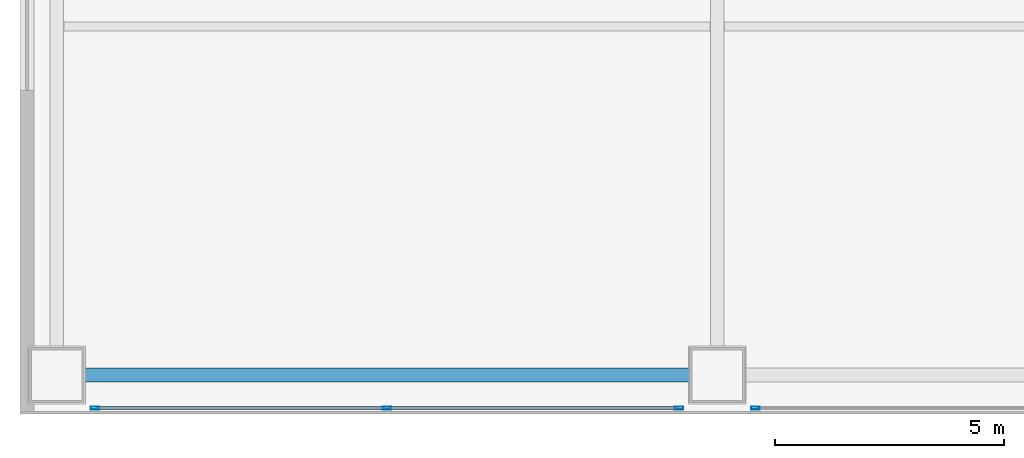
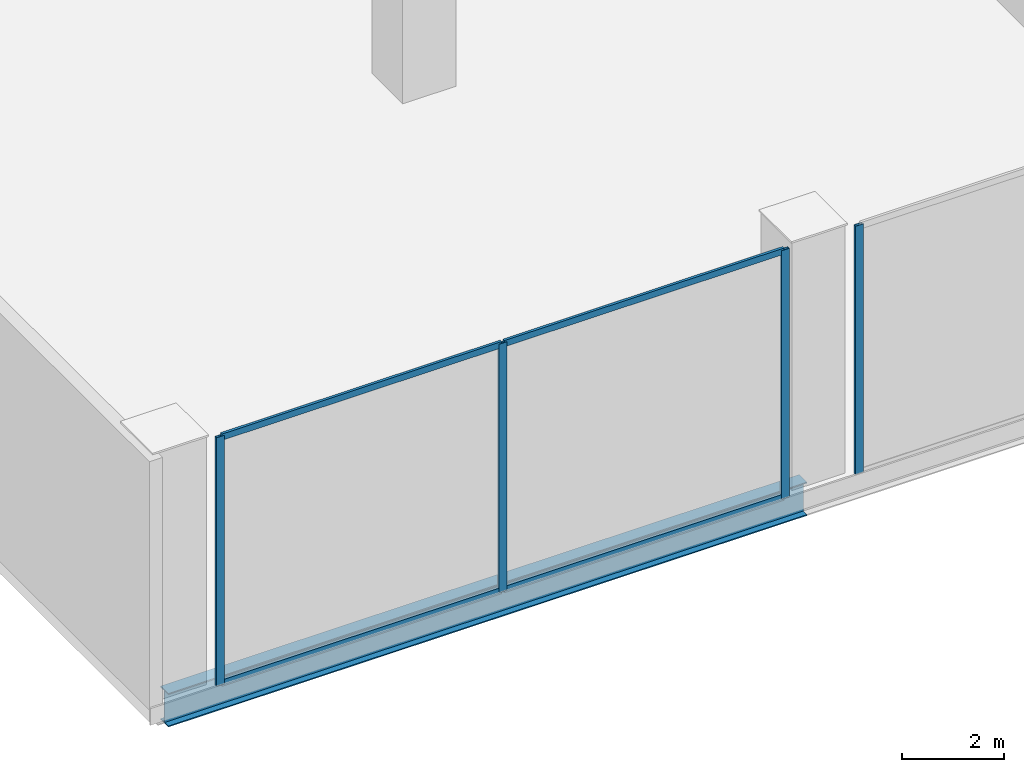
# One storey, part 3 of 41: 8 members, 1 beam, 2 elements without a shape of their own.
"""IFC4 building model written with IfcOpenShell, lengths in metres."""

from ifc_helpers import new_model, si_unit, direction, frame, origin, origin_2d, place, context, subcontext, project, spatial, hollow_rectangle, i_section, extrude, source, transform, mapped, material, layer, layer_set, material_profile, profile_set, type_object, element, aggregate, save


model = new_model("IFC4")

# Units and contexts
model_context = context("Model", 3, precision=1e-05, world=origin(), true_north=direction((0.0, 1.0)))
body_context = subcontext(model_context, "Body", "Model", "MODEL_VIEW")
ifc_project = project(units=[si_unit("LENGTHUNIT", "METRE"), si_unit("AREAUNIT", "SQUARE_METRE"), si_unit("VOLUMEUNIT", "CUBIC_METRE"), si_unit("PLANEANGLEUNIT", "RADIAN"), si_unit("MASSUNIT", "GRAM", prefix="KILO"), si_unit("THERMODYNAMICTEMPERATUREUNIT", "KELVIN"), si_unit("POWERUNIT", "WATT")], contexts=[model_context])

# Site, building, storey
site_placement = place(None, origin())
site = spatial("IfcSite", under=ifc_project, at=site_placement, CompositionType="ELEMENT")
building_placement = place(site_placement, origin())
building = spatial("IfcBuilding", under=site, at=building_placement, Name="Yunzhuo Pagoda Commons", CompositionType="ELEMENT")
storey_placement = place(building_placement, frame((0.0, 0.0, 19.199951171875)))
storey = spatial("IfcBuildingStorey", under=building, at=storey_placement, Name="L05", CompositionType="ELEMENT", Elevation=19.199951171875)

# Beam
ifc_material_1 = material(Name="Structural steel Q355B", Category="steel")
ifc_material_profile_1 = material_profile(ifc_material_1, i_section(OverallWidth=0.300048828125, OverallDepth=0.800048828125, WebThickness=0.013916015625, FlangeThickness=0.02587890625, at=origin_2d()), Name="Structural steel Q355B")
ifc_profile_set_1 = profile_set([ifc_material_profile_1], Name="Structural steel Q355B")
beam_type = type_object("IfcBeamType", Name="B-PD2 Beam HN 800x300x14x26", PredefinedType="BEAM", material=ifc_profile_set_1)
shared_shape_1 = source(origin(), body_context, "Body", "SweptSolid", [
    extrude(i_section(OverallWidth=0.300048828125, OverallDepth=0.800048828125, WebThickness=0.013916015625, FlangeThickness=0.02587890625, at=origin_2d()), origin(), (0.0, 0.0, 1.0), 14.39990234375),
])
beam_placement = place(storey_placement, frame((4.800048828125, 6.800048828125, -0.6796875), z_axis=(1.0, 0.0, 0.0), x_axis=(0.0, 1.0, 0.0)))
element("IfcBeam", 1, at=beam_placement, inside=storey, type_object=beam_type, Name="L05 podium girder EW 1.1", PredefinedType="BEAM", context=body_context, shape_type="MappedRepresentation", body=[
    mapped(shared_shape_1, transform((0.0, 0.0, 0.0), scale=1.0)),
])

# Curtain wall, members
ifc_material_2 = material(Name="Anodized aluminium 6063-T6", Category="aluminium")
ifc_layer = layer(ifc_material_2, 0.179931640625)
ifc_layer_set = layer_set([ifc_layer], Name="Anodized aluminium 6063-T6")
curtain_wall_type = type_object("IfcCurtainWallType", Name="CW-POD Waterfront Podium Curtain Wall", PredefinedType="NOTDEFINED", material=ifc_layer_set)
curtain_wall_1_placement = place(storey_placement, origin())
curtain_wall_1 = element("IfcCurtainWall", 2, at=curtain_wall_1_placement, inside=storey, type_object=curtain_wall_type, Name="L05 curtain wall CW-L05-S1", PredefinedType="NOTDEFINED")
ifc_material_profile_2 = material_profile(ifc_material_2, hollow_rectangle(XDim=0.06005859375, YDim=0.14990234375, WallThickness=0.00390625, at=origin_2d()), Name="Anodized aluminium 6063-T6")
ifc_profile_set_2 = profile_set([ifc_material_profile_2], Name="Anodized aluminium 6063-T6")
member_type_1 = type_object("IfcMemberType", Name="CW-POD-T Transom RHS 150x60x4", PredefinedType="USERDEFINED", material=ifc_profile_set_2)
shared_shape_2 = source(origin(), body_context, "Body", "SweptSolid", [
    extrude(hollow_rectangle(XDim=0.06005859375, YDim=0.14990234375, WallThickness=0.00390625, at=origin_2d()), origin(), (0.0, 0.0, 1.0), 6.302490234375),
])
member_1_placement = place(storey_placement, frame((5.6650390625, 6.080078125, 0.0302734375), z_axis=(1.0, 0.0, 0.0), x_axis=(0.0, 1.0, 0.0)))
member_1 = element("IfcMember", 3, at=member_1_placement, type_object=member_type_1, Name="CW transom 1.1", ObjectType="TRANSOM", PredefinedType="USERDEFINED", context=body_context, shape_type="MappedRepresentation", body=[
    mapped(shared_shape_2, transform((0.0, 0.0, 0.0), scale=1.0)),
])
member_2_placement = place(storey_placement, frame((5.6650390625, 6.080078125, 5.89013671875), z_axis=(1.0, 0.0, 0.0), x_axis=(0.0, 1.0, 0.0)))
member_2 = element("IfcMember", 4, at=member_2_placement, type_object=member_type_1, Name="CW transom 1.2", ObjectType="TRANSOM", PredefinedType="USERDEFINED", context=body_context, shape_type="MappedRepresentation", body=[
    mapped(shared_shape_2, transform((0.0, 0.0, 0.0), scale=1.0)),
])
member_3_placement = place(storey_placement, frame((12.032470703125, 6.080078125, 0.0302734375), z_axis=(1.0, 0.0, 0.0), x_axis=(0.0, 1.0, 0.0)))
member_3 = element("IfcMember", 5, at=member_3_placement, type_object=member_type_1, Name="CW transom 2.1", ObjectType="TRANSOM", PredefinedType="USERDEFINED", context=body_context, shape_type="MappedRepresentation", body=[
    mapped(shared_shape_2, transform((0.0, 0.0, 0.0), scale=1.0)),
])
member_4_placement = place(storey_placement, frame((12.032470703125, 6.080078125, 5.89013671875), z_axis=(1.0, 0.0, 0.0), x_axis=(0.0, 1.0, 0.0)))
member_4 = element("IfcMember", 6, at=member_4_placement, type_object=member_type_1, Name="CW transom 2.2", ObjectType="TRANSOM", PredefinedType="USERDEFINED", context=body_context, shape_type="MappedRepresentation", body=[
    mapped(shared_shape_2, transform((0.0, 0.0, 0.0), scale=1.0)),
])
ifc_material_profile_3 = material_profile(ifc_material_2, hollow_rectangle(XDim=0.06494140625, YDim=0.179931640625, WallThickness=0.00390625, at=origin_2d()), Name="Anodized aluminium 6063-T6")
ifc_profile_set_3 = profile_set([ifc_material_profile_3], Name="Anodized aluminium 6063-T6")
member_type_2 = type_object("IfcMemberType", Name="CW-POD-M Mullion RHS 180x65x4", PredefinedType="MULLION", material=ifc_profile_set_3)
shared_shape_3 = source(origin(), body_context, "Body", "SweptSolid", [
    extrude(hollow_rectangle(XDim=0.06494140625, YDim=0.179931640625, WallThickness=0.00390625, at=origin_2d()), origin(), (0.0, 0.0, 1.0), 5.920166015625),
])
member_5_placement = place(storey_placement, frame((5.632568359375, 6.080078125, 0.0), z_axis=(0.0, 0.0, 1.0), x_axis=(0.0, 1.0, 0.0)))
member_5 = element("IfcMember", 7, at=member_5_placement, type_object=member_type_2, Name="CW mullion 1", PredefinedType="MULLION", context=body_context, shape_type="MappedRepresentation", body=[
    mapped(shared_shape_3, transform((0.0, 0.0, 0.0), scale=1.0)),
])
member_6_placement = place(storey_placement, frame((12.0, 6.080078125, 0.0), z_axis=(0.0, 0.0, 1.0), x_axis=(0.0, 1.0, 0.0)))
member_6 = element("IfcMember", 8, at=member_6_placement, type_object=member_type_2, Name="CW mullion 2", PredefinedType="MULLION", context=body_context, shape_type="MappedRepresentation", body=[
    mapped(shared_shape_3, transform((0.0, 0.0, 0.0), scale=1.0)),
])
member_7_placement = place(storey_placement, frame((18.367431640625, 6.080078125, 0.0), z_axis=(0.0, 0.0, 1.0), x_axis=(0.0, 1.0, 0.0)))
member_7 = element("IfcMember", 9, at=member_7_placement, type_object=member_type_2, Name="CW mullion 3", PredefinedType="MULLION", context=body_context, shape_type="MappedRepresentation", body=[
    mapped(shared_shape_3, transform((0.0, 0.0, 0.0), scale=1.0)),
])
aggregate(curtain_wall_1, [member_5, member_6, member_7, member_1, member_2, member_3, member_4])

# Curtain wall, member
curtain_wall_2_placement = place(storey_placement, origin())
curtain_wall_2 = element("IfcCurtainWall", 10, at=curtain_wall_2_placement, inside=storey, type_object=curtain_wall_type, Name="L05 curtain wall CW-L05-S2", PredefinedType="NOTDEFINED")
member_8_placement = place(storey_placement, frame((20.032470703125, 6.080078125, 0.0), z_axis=(0.0, 0.0, 1.0), x_axis=(0.0, 1.0, 0.0)))
member_8 = element("IfcMember", 11, at=member_8_placement, type_object=member_type_2, Name="CW mullion 1", PredefinedType="MULLION", context=body_context, shape_type="MappedRepresentation", body=[
    mapped(shared_shape_3, transform((0.0, 0.0, 0.0), scale=1.0)),
])
aggregate(curtain_wall_2, [member_8])

save(model, "model.ifc")
